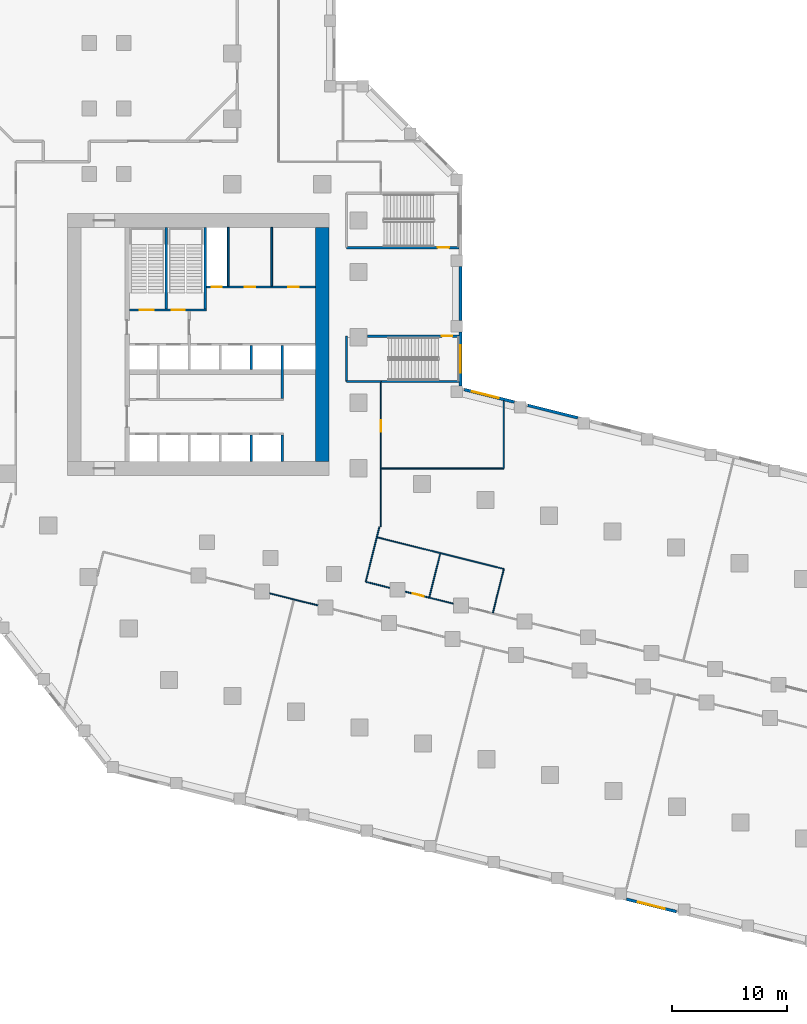
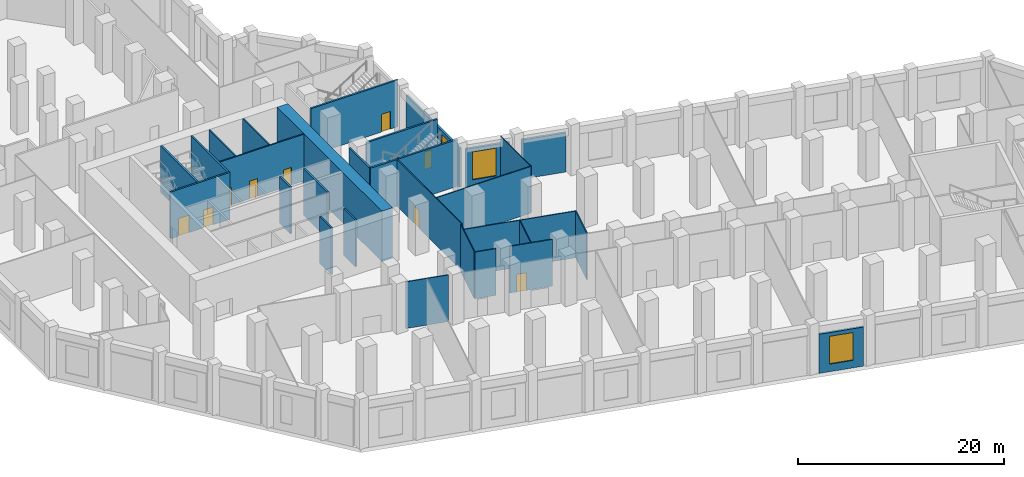
# One storey, part 5 of 15: 31 walls, 9 doors, 3 windows, 12 openings.
"""IFC4 building model written with IfcOpenShell, lengths in metres."""

import ifcopenshell
import ifcopenshell.guid

model = None  # the IFC model being written
_history = None  # IfcOwnerHistory: only IFC2X3 demands one
_inside = {}  # id of a spatial element -> (the spatial element, [elements in it])
_under = {}  # id of a project, library or spatial element -> (it, [spatial elements below it])
_declared = {}  # id of a project -> (the project, [libraries it declares])
_typed = {}  # id of a type object -> (the type object, [elements of that type])
_made_of = {}  # id of a material, layer set ... -> (it, [elements and type objects made of it])


def new_model(schema):
    """Start an empty IFC model of exactly this schema.

    Asked for "IFC4X3", IfcOpenShell would pick the latest addendum, in which some entities
    have other attributes; the version numbers below select the first issue.
    IFC2X3 requires an IfcOwnerHistory on every rooted entity: one is made here for all.
    """
    global model, _history
    if schema == "IFC4X3":
        model = ifcopenshell.file(schema_version=(4, 3, 0, 0))
    else:
        model = ifcopenshell.file(schema=schema)
    _inside.clear()
    _under.clear()
    _declared.clear()
    _typed.clear()
    _made_of.clear()
    _history = None
    if model.schema == "IFC2X3":
        org = make("IfcOrganization", Name="unknown")
        user = make(
            "IfcPersonAndOrganization",
            ThePerson=make("IfcPerson", FamilyName="unknown"),
            TheOrganization=org,
        )
        app = make(
            "IfcApplication",
            ApplicationDeveloper=org,
            Version="unknown",
            ApplicationFullName="unknown",
            ApplicationIdentifier="unknown",
        )
        _history = make(
            "IfcOwnerHistory",
            OwningUser=user,
            OwningApplication=app,
            ChangeAction="ADDED",
            CreationDate=0,
        )
    return model


def make(cls, **values):
    """One entity of the class cls with the attributes given. An attribute that is None is left unset."""
    return model.create_entity(
        cls, **{name: value for name, value in values.items() if value is not None}
    )


def rooted(cls, **values):
    """An entity with a GlobalId (a new one), such as an element, a storey or a relation."""
    return make(cls, GlobalId=ifcopenshell.guid.new(), OwnerHistory=_history, **values)


def si_unit(unit_type, name, prefix=None):
    """IfcSIUnit, for example si_unit("LENGTHUNIT", "METRE", prefix="MILLI")."""
    return make("IfcSIUnit", UnitType=unit_type, Prefix=prefix, Name=name)


def assignment(units):
    """IfcUnitAssignment: the units of a project."""
    return None if units is None else make("IfcUnitAssignment", Units=units)


def point(xyz):
    """IfcCartesianPoint."""
    return None if xyz is None else make("IfcCartesianPoint", Coordinates=xyz)


def direction(xyz):
    """IfcDirection."""
    return None if xyz is None else make("IfcDirection", DirectionRatios=xyz)


def frame(location, z_axis=None, x_axis=None):
    """IfcAxis2Placement3D, a coordinate frame: its origin and axes. An axis left out is left unset."""
    return make(
        "IfcAxis2Placement3D",
        Location=point(location),
        Axis=direction(z_axis),
        RefDirection=direction(x_axis),
    )


def frame_2d(location, x_axis=None):
    """IfcAxis2Placement2D, a coordinate frame in the plane: its origin and x axis."""
    return make(
        "IfcAxis2Placement2D", Location=point(location), RefDirection=direction(x_axis)
    )


def origin():
    """The frame at (0, 0, 0) with its axes left unset."""
    return frame((0.0, 0.0, 0.0))


def place(relative_to, where):
    """IfcLocalPlacement: puts the frame where relative to a parent placement (None: the world)."""
    return make(
        "IfcLocalPlacement", PlacementRelTo=relative_to, RelativePlacement=where
    )


def context(
    kind, dimensions, precision=None, world=None, true_north=None, identifier=None
):
    """IfcGeometricRepresentationContext, for example the 3D "Model" context."""
    return make(
        "IfcGeometricRepresentationContext",
        ContextIdentifier=identifier,
        ContextType=kind,
        CoordinateSpaceDimension=dimensions,
        Precision=precision,
        WorldCoordinateSystem=world,
        TrueNorth=true_north,
    )


def subcontext(parent, identifier, kind, view, scale=None):
    """IfcGeometricRepresentationSubContext, for example "Body" below "Model"."""
    return make(
        "IfcGeometricRepresentationSubContext",
        ContextIdentifier=identifier,
        ContextType=kind,
        ParentContext=parent,
        TargetScale=scale,
        TargetView=view,
    )


def project(units=None, contexts=None):
    """IfcProject with its units and contexts."""
    return rooted(
        "IfcProject",
        Name="project",
        RepresentationContexts=contexts,
        UnitsInContext=assignment(units),
    )


def spatial(cls, under=None, at=None, **own):
    """A site, building, storey or space (cls), placed at a placement, below another one or the project."""
    s = rooted(cls, ObjectPlacement=at, **own)
    if under is not None:
        _under.setdefault(under.id(), (under, []))[1].append(s)
    return s


def profile(cls, at=None, kind="AREA", **sizes):
    """A parametric profile (cls). Its sizes go by their IFC names, for example OverallWidth=200.0."""
    return make(cls, ProfileType=kind, Position=at, **sizes)


def rectangle(**sizes):
    """IfcRectangleProfileDef."""
    return profile("IfcRectangleProfileDef", **sizes)


def extrude(swept, where, along, depth):
    """IfcExtrudedAreaSolid: the profile swept, set in the frame where, extruded along a direction by depth."""
    return make(
        "IfcExtrudedAreaSolid",
        SweptArea=swept,
        Position=where,
        ExtrudedDirection=direction(along),
        Depth=depth,
    )


def shape(context_of_items, identifier, shape_type, items):
    """IfcShapeRepresentation: the items that make up one representation, for example the "Body"."""
    return make(
        "IfcShapeRepresentation",
        ContextOfItems=context_of_items,
        RepresentationIdentifier=identifier,
        RepresentationType=shape_type,
        Items=items,
    )


def material(Name=None, Category=None):
    """IfcMaterial."""
    return make("IfcMaterial", Name=Name, Category=Category)


def layer(
    of_material, thickness, ventilated=None, Name=None, Category=None, Priority=None
):
    """IfcMaterialLayer: one layer of a wall or slab, of a material (None: an air gap)."""
    return make(
        "IfcMaterialLayer",
        Material=of_material,
        LayerThickness=thickness,
        IsVentilated=ventilated,
        Name=Name,
        Category=Category,
        Priority=Priority,
    )


def layer_set(layers, Name=None):
    """IfcMaterialLayerSet."""
    return make("IfcMaterialLayerSet", MaterialLayers=layers, LayerSetName=Name)


def made_of(thing, what):
    """Note that an element or type object is made of a material, layer set ...; save() writes the relation."""
    if what is not None:
        _made_of.setdefault(what.id(), (what, []))[1].append(thing)
    return thing


def type_object(cls, material=None, **own):
    """A type object (cls), such as IfcWallType, which elements share."""
    return made_of(rooted(cls, **own), material)


def element(
    cls,
    number,
    at=None,
    inside=None,
    cuts=None,
    type_object=None,
    material=None,
    context=None,
    identifier="Body",
    shape_type=None,
    held_by="IfcProductDefinitionShape",
    body=None,
    shapes=None,
    **own,
):
    """One element of the class cls, such as IfcWall. Its Tag is "e" and its number.

    at: its placement. inside: the storey or other place that contains it. cuts: it is an
    opening in that element (IfcRelVoidsElement). A single representation is given by context,
    identifier, shape_type and body (its items); several are given by shapes. held_by: the class
    of the entity that holds the representations. save() writes the other relations.
    """
    e = rooted(cls, Tag="e%d" % number, ObjectPlacement=at, **own)
    if body is not None:
        shapes = [shape(context, identifier, shape_type, body)]
    if shapes is not None:
        e.Representation = make(held_by, Representations=shapes)
    if inside is not None:
        _inside.setdefault(inside.id(), (inside, []))[1].append(e)
    if cuts is not None:
        rooted(
            "IfcRelVoidsElement", RelatingBuildingElement=cuts, RelatedOpeningElement=e
        )
    if type_object is not None:
        _typed.setdefault(type_object.id(), (type_object, []))[1].append(e)
    return made_of(e, material)


def fill(opening, filler):
    """IfcRelFillsElement: the door or window that sits in an opening."""
    return rooted(
        "IfcRelFillsElement",
        RelatingOpeningElement=opening,
        RelatedBuildingElement=filler,
    )


def aggregate(whole, parts):
    """IfcRelAggregates: a whole, such as a stair, and the parts it consists of."""
    return rooted("IfcRelAggregates", RelatingObject=whole, RelatedObjects=parts)


def save(model, path):
    """Write the relations noted so far, then the file.

    IfcRelAggregates (storeys below a building ...), IfcRelContainedInSpatialStructure (elements
    in a storey), IfcRelDefinesByType, IfcRelAssociatesMaterial and IfcRelDeclares: one each for
    every whole, place, type object, material and project.
    """
    for whole, parts in _under.values():
        aggregate(whole, parts)
    for where, things in _inside.values():
        rooted(
            "IfcRelContainedInSpatialStructure",
            RelatedElements=things,
            RelatingStructure=where,
        )
    for kind, things in _typed.values():
        rooted("IfcRelDefinesByType", RelatedObjects=things, RelatingType=kind)
    for what, things in _made_of.values():
        rooted("IfcRelAssociatesMaterial", RelatedObjects=things, RelatingMaterial=what)
    for by, libraries in _declared.values():
        rooted("IfcRelDeclares", RelatingContext=by, RelatedDefinitions=libraries)
    model.write(path)


model = new_model("IFC4")

# Units and contexts
model_context = context("Model", 3, precision=1e-05, world=origin(), true_north=direction((0.0, 1.0)))
body_context = subcontext(model_context, "Body", "Model", "MODEL_VIEW")
ifc_project = project(units=[si_unit("LENGTHUNIT", "METRE"), si_unit("AREAUNIT", "SQUARE_METRE"), si_unit("VOLUMEUNIT", "CUBIC_METRE"), si_unit("PLANEANGLEUNIT", "RADIAN"), si_unit("MASSUNIT", "GRAM", prefix="KILO")], contexts=[model_context])

# Site, building, storey
site_placement = place(None, origin())
site = spatial("IfcSite", under=ifc_project, at=site_placement, CompositionType="ELEMENT")
building_placement = place(site_placement, origin())
building = spatial("IfcBuilding", under=site, at=building_placement, Name="Meshkara Civic Tower", CompositionType="ELEMENT")
storey_placement = place(building_placement, frame((0.0, 0.0, 12.60009765625)))
storey = spatial("IfcBuildingStorey", under=building, at=storey_placement, Name="L02", CompositionType="ELEMENT", Elevation=12.60009765625)

# Wall, openings, doors
ifc_material_1 = material(Name="Blockwork", Category="masonry")
ifc_layer_1 = layer(ifc_material_1, 0.14990234375)
ifc_layer_set_1 = layer_set([ifc_layer_1], Name="Core partition 150")
wall_type_1 = type_object("IfcWallType", Name="Core partition 150", PredefinedType="PARTITIONING", material=ifc_layer_set_1)
wall_1_placement = place(storey_placement, frame((20.10009765625, 30.5, 0.0), z_axis=(0.0, 0.0, 1.0), x_axis=(1.0, 0.0, 0.0)))
wall_1 = element("IfcWall", 1, at=wall_1_placement, inside=storey, type_object=wall_type_1, Name="L02-C010", PredefinedType="PARTITIONING", context=body_context, shape_type="SweptSolid", body=[
    extrude(rectangle(XDim=9.5, YDim=0.14990234375, at=frame_2d((4.75, 0.0))), origin(), (0.0, 0.0, 1.0), 5.5498046875),
])
opening_1_placement = place(wall_1_placement, frame((0.449951171875, 0.0, 0.0)))
opening_1 = element("IfcOpeningElement", 2, at=opening_1_placement, cuts=wall_1, Name="Opening L02-K012", PredefinedType="OPENING", context=body_context, shape_type="SweptSolid", body=[
    extrude(rectangle(XDim=0.89990234375, YDim=2.10009765625, at=frame_2d((0.449951171875, 1.050048828125))), frame((0.0, 0.0849609375, 0.0), z_axis=(0.0, -1.0, 0.0), x_axis=(1.0, 0.0, 0.0)), (0.0, 0.0, 1.0), 0.169921875),
])
opening_2_placement = place(wall_1_placement, frame((3.35009765625, 0.0, 0.0)))
opening_2 = element("IfcOpeningElement", 3, at=opening_2_placement, cuts=wall_1, Name="Opening L02-K013", PredefinedType="OPENING", context=body_context, shape_type="SweptSolid", body=[
    extrude(rectangle(XDim=0.89990234375, YDim=2.10009765625, at=frame_2d((0.449951171875, 1.050048828125))), frame((0.0, 0.0849609375, 0.0), z_axis=(0.0, -1.0, 0.0), x_axis=(1.0, 0.0, 0.0)), (0.0, 0.0, 1.0), 0.169921875),
])
opening_3_placement = place(wall_1_placement, frame((7.14990234375, 0.0, 0.0)))
opening_3 = element("IfcOpeningElement", 4, at=opening_3_placement, cuts=wall_1, Name="Opening L02-K014", PredefinedType="OPENING", context=body_context, shape_type="SweptSolid", body=[
    extrude(rectangle(XDim=0.89990234375, YDim=2.10009765625, at=frame_2d((0.449951171875, 1.050048828125))), frame((0.0, 0.0849609375, 0.0), z_axis=(0.0, -1.0, 0.0), x_axis=(1.0, 0.0, 0.0)), (0.0, 0.0, 1.0), 0.169921875),
])
ifc_material_2 = material(Name="Timber door leaf in steel frame", Category="steel")
door_type_1 = type_object("IfcDoorType", Name="Core room door 900", OperationType="SINGLE_SWING_LEFT", PredefinedType="DOOR", material=ifc_material_2)
door_1_placement = place(opening_2_placement, origin())
door_1 = element("IfcDoor", 5, at=door_1_placement, inside=storey, type_object=door_type_1, Name="L02-K013", OperationType="SINGLE_SWING_RIGHT", OverallHeight=2.10009765625, OverallWidth=0.89990234375, PredefinedType="DOOR", context=body_context, shape_type="SweptSolid", body=[
    extrude(rectangle(XDim=0.89990234375, YDim=2.10009765625, at=frame_2d((0.449951171875, 1.050048828125))), frame((0.0, 0.02490234375, 0.0), z_axis=(0.0, -1.0, 0.0), x_axis=(1.0, 0.0, 0.0)), (0.0, 0.0, 1.0), 0.050048828125),
])
fill(opening_2, door_1)
ifc_material_3 = material(Name="Fire-rated door leaf in steel frame", Category="steel")
door_type_2 = type_object("IfcDoorType", Name="Riser door 900", OperationType="SINGLE_SWING_LEFT", PredefinedType="DOOR", material=ifc_material_3)
door_2_placement = place(opening_1_placement, origin())
door_2 = element("IfcDoor", 6, at=door_2_placement, inside=storey, type_object=door_type_2, Name="L02-K012", OperationType="SINGLE_SWING_RIGHT", OverallHeight=2.10009765625, OverallWidth=0.89990234375, PredefinedType="DOOR", context=body_context, shape_type="SweptSolid", body=[
    extrude(rectangle(XDim=0.89990234375, YDim=2.10009765625, at=frame_2d((0.449951171875, 1.050048828125))), frame((0.0, 0.02490234375, 0.0), z_axis=(0.0, -1.0, 0.0), x_axis=(1.0, 0.0, 0.0)), (0.0, 0.0, 1.0), 0.050048828125),
])
fill(opening_1, door_2)
ifc_material_4 = material(Name="Timber door leaf in steel frame", Category="steel")
door_type_3 = type_object("IfcDoorType", Name="WC door 900", OperationType="SINGLE_SWING_LEFT", PredefinedType="DOOR", material=ifc_material_4)
door_3_placement = place(opening_3_placement, origin())
door_3 = element("IfcDoor", 7, at=door_3_placement, inside=storey, type_object=door_type_3, Name="L02-K014", OperationType="SINGLE_SWING_LEFT", OverallHeight=2.10009765625, OverallWidth=0.89990234375, PredefinedType="DOOR", context=body_context, shape_type="SweptSolid", body=[
    extrude(rectangle(XDim=0.89990234375, YDim=2.10009765625, at=frame_2d((0.449951171875, 1.050048828125))), frame((0.0, 0.02490234375, 0.0), z_axis=(0.0, -1.0, 0.0), x_axis=(1.0, 0.0, 0.0)), (0.0, 0.0, 1.0), 0.050048828125),
])
fill(opening_3, door_3)

# Walls
for number, where, z_axis, x_axis, name in (
    (8, (22.0, 30.574951171875, 0.0), (0.0, 0.0, 1.0), (0.0, 1.0, 0.0), "L02-C020"),
    (9, (25.800048828125, 30.574951171875, 0.0), (0.0, 0.0, 1.0), (0.0, 1.0, 0.0), "L02-C023"),
):
    element("IfcWall", number, at=place(storey_placement, frame(where, z_axis=z_axis, x_axis=x_axis)), inside=storey, type_object=wall_type_1, Name=name, PredefinedType="PARTITIONING", context=body_context, shape_type="SweptSolid", body=[
        extrude(rectangle(XDim=5.125, YDim=0.14990234375, at=frame_2d((2.5625, 0.0))), origin(), (0.0, 0.0, 1.0), 5.5498046875),
    ])
ifc_material_5 = material(Name="Concrete C80", Category="concrete")
ifc_layer_2 = layer(ifc_material_5, 1.199951171875)
ifc_layer_set_2 = layer_set([ifc_layer_2], Name="Core ring wall 1200 C80")
wall_type_2 = type_object("IfcWallType", Name="Core ring wall 1200 C80", PredefinedType="SHEAR", material=ifc_layer_set_2)
wall_2_placement = place(storey_placement, frame((30.199951171875, 15.300048828125, -0.4501953125), z_axis=(0.0, 0.0, 1.0), x_axis=(0.0, 1.0, 0.0)))
element("IfcWall", 10, at=wall_2_placement, inside=storey, type_object=wall_type_2, Name="L02-C004", PredefinedType="SHEAR", context=body_context, shape_type="SweptSolid", body=[
    extrude(rectangle(XDim=20.39990234375, YDim=1.199951171875, at=frame_2d((10.199951171875, 0.0))), origin(), (0.0, 0.0, 1.0), 6.0),
])
ifc_material_6 = material(Name="Corridor wall 100")
ifc_layer_3 = layer(ifc_material_6, 0.10009765625)
ifc_layer_set_3 = layer_set([ifc_layer_3], Name="Corridor wall 100")
wall_type_3 = type_object("IfcWallType", Name="Corridor wall 100", PredefinedType="PARTITIONING", material=ifc_layer_set_3)
wall_3_placement = place(storey_placement, frame((25.6240234375, 3.81494140625, 0.0), z_axis=(0.0, 0.0, 1.0), x_axis=(0.970295255208, -0.241923784941, 0.0)))
element("IfcWall", 11, at=wall_3_placement, inside=storey, type_object=wall_type_3, Name="L02-R035", PredefinedType="PARTITIONING", context=body_context, shape_type="SweptSolid", body=[
    extrude(rectangle(XDim=4.3193359375, YDim=0.10009765625, at=frame_2d((2.15966796875, 0.0))), origin(), (0.0, 0.0, 1.0), 5.5498046875),
])
wall_4_placement = place(storey_placement, frame((33.97607421875, 4.823974609375, 0.0), z_axis=(0.0, 0.0, 1.0), x_axis=(0.241940400058, 0.970291112409, 0.0)))
element("IfcWall", 12, at=wall_4_placement, inside=storey, type_object=wall_type_3, Name="L02-R043", PredefinedType="PARTITIONING", context=body_context, shape_type="SweptSolid", body=[
    extrude(rectangle(XDim=4.92236328125, YDim=0.10009765625, at=frame_2d((2.461181640625, 0.0))), origin(), (0.0, 0.0, 1.0), 5.5498046875),
])

# Wall, opening, door
wall_5_placement = place(storey_placement, frame((35.300048828125, 9.60009765625, 0.0), z_axis=(0.0, 0.0, 1.0), x_axis=(0.0, 1.0, 0.0)))
wall_5 = element("IfcWall", 13, at=wall_5_placement, inside=storey, type_object=wall_type_3, Name="L02-R045", PredefinedType="PARTITIONING", context=body_context, shape_type="SweptSolid", body=[
    extrude(rectangle(XDim=12.6748046875, YDim=0.10009765625, at=frame_2d((6.33740234375, 0.0))), origin(), (0.0, 0.0, 1.0), 5.5498046875),
])
opening_4_placement = place(wall_5_placement, frame((8.280029296875, 0.0, 0.0)))
opening_4 = element("IfcOpeningElement", 14, at=opening_4_placement, cuts=wall_5, Name="Opening L02-P022", PredefinedType="OPENING", context=body_context, shape_type="SweptSolid", body=[
    extrude(rectangle(XDim=1.0, YDim=2.10009765625, at=frame_2d((0.5, 1.050048828125))), frame((0.0, 0.06005859375, 0.0), z_axis=(0.0, -1.0, 0.0), x_axis=(1.0, 0.0, 0.0)), (0.0, 0.0, 1.0), 0.1201171875),
])
ifc_material_7 = material(Name="Door 1000 x 2100")
door_type_4 = type_object("IfcDoorType", Name="Door 1000 x 2100", OperationType="SINGLE_SWING_LEFT", PredefinedType="DOOR", material=ifc_material_7)
door_4_placement = place(opening_4_placement, origin())
door_4 = element("IfcDoor", 15, at=door_4_placement, inside=storey, type_object=door_type_4, Name="L02-P022", OperationType="SINGLE_SWING_RIGHT", OverallHeight=2.10009765625, OverallWidth=1.0, PredefinedType="DOOR", context=body_context, shape_type="SweptSolid", body=[
    extrude(rectangle(XDim=1.0, YDim=2.10009765625, at=frame_2d((0.5, 1.050048828125))), frame((0.0, 0.02490234375, 0.0), z_axis=(0.0, -1.0, 0.0), x_axis=(1.0, 0.0, 0.0)), (0.0, 0.0, 1.0), 0.050048828125),
])
fill(opening_4, door_4)

# Wall
wall_6_placement = place(storey_placement, frame((36.072021484375, 4.301025390625, 0.0), z_axis=(0.0, 0.0, 1.0), x_axis=(-0.970255412337, 0.242083528623, 0.0)))
element("IfcWall", 16, at=wall_6_placement, inside=storey, type_object=wall_type_3, Name="L02-R048", PredefinedType="PARTITIONING", context=body_context, shape_type="SweptSolid", body=[
    extrude(rectangle(XDim=2.16015625, YDim=0.10009765625, at=frame_2d((1.080078125, 0.0))), origin(), (0.0, 0.0, 1.0), 5.5498046875),
])

# Wall, opening, door
wall_7_placement = place(storey_placement, frame((37.412109375, 3.967041015625, 0.0), z_axis=(0.0, 0.0, 1.0), x_axis=(0.970335093604, -0.241763947107, 0.0)))
wall_7 = element("IfcWall", 17, at=wall_7_placement, inside=storey, type_object=wall_type_3, Name="L02-R050", PredefinedType="PARTITIONING", context=body_context, shape_type="SweptSolid", body=[
    extrude(rectangle(XDim=4.318115234375, YDim=0.10009765625, at=frame_2d((2.1591796875, 0.0))), origin(), (0.0, 0.0, 1.0), 5.5498046875),
])
opening_5_placement = place(wall_7_placement, frame((0.679931640625, 0.0, 0.0)))
opening_5 = element("IfcOpeningElement", 18, at=opening_5_placement, cuts=wall_7, Name="Opening L02-P016", PredefinedType="OPENING", context=body_context, shape_type="SweptSolid", body=[
    extrude(rectangle(XDim=1.0, YDim=2.10009765625, at=frame_2d((0.5, 1.050048828125))), frame((0.0, 0.06005859375, 0.0), z_axis=(0.0, -1.0, 0.0), x_axis=(1.0, 0.0, 0.0)), (0.0, 0.0, 1.0), 0.1201171875),
])
door_5_placement = place(opening_5_placement, origin())
door_5 = element("IfcDoor", 19, at=door_5_placement, inside=storey, type_object=door_type_4, Name="L02-P016", OperationType="SINGLE_SWING_RIGHT", OverallHeight=2.10009765625, OverallWidth=1.0, PredefinedType="DOOR", context=body_context, shape_type="SweptSolid", body=[
    extrude(rectangle(XDim=1.0, YDim=2.10009765625, at=frame_2d((0.5, 1.050048828125))), frame((0.0, 0.02490234375, 0.0), z_axis=(0.0, -1.0, 0.0), x_axis=(1.0, 0.0, 0.0)), (0.0, 0.0, 1.0), 0.050048828125),
])
fill(opening_5, door_5)

# Wall, opening, window
ifc_material_8 = material(Name="Stone cladding on insulated backing wall", Category="masonry")
ifc_layer_4 = layer(ifc_material_8, 0.25)
ifc_layer_set_4 = layer_set([ifc_layer_4], Name="PODIUM STONE WALL 250")
wall_type_4 = type_object("IfcWallType", Name="PODIUM STONE WALL 250", PredefinedType="SOLIDWALL", material=ifc_layer_set_4)
wall_8_placement = place(storey_placement, frame((56.680908203125, -22.81494140625, 0.0), z_axis=(0.0, 0.0, 1.0), x_axis=(0.970276766004, -0.241997928406, 0.0)))
wall_8 = element("IfcWall", 20, at=wall_8_placement, inside=storey, type_object=wall_type_4, Name="Podium external wall", PredefinedType="SOLIDWALL", context=body_context, shape_type="SweptSolid", body=[
    extrude(rectangle(XDim=4.4873046875, YDim=0.25, at=frame_2d((2.24365234375, 0.0))), origin(), (0.0, 0.0, 1.0), 4.64990234375),
])
opening_6_placement = place(wall_8_placement, frame((1.0439453125, 0.0, 0.89990234375)))
opening_6 = element("IfcOpeningElement", 21, at=opening_6_placement, cuts=wall_8, Name="Opening PW7", PredefinedType="OPENING", context=body_context, shape_type="SweptSolid", body=[
    extrude(rectangle(XDim=2.39990234375, YDim=3.300048828125, at=frame_2d((1.199951171875, 1.64990234375))), frame((0.0, 0.135009765625, 0.0), z_axis=(0.0, -1.0, 0.0), x_axis=(1.0, 0.0, 0.0)), (0.0, 0.0, 1.0), 0.27001953125),
])
ifc_material_9 = material(Name="Tinted double glazing", Category="glass")
window_type = type_object("IfcWindowType", Name="PODIUM WINDOW 2400x3300", PartitioningType="DOUBLE_PANEL_VERTICAL", PredefinedType="WINDOW", material=ifc_material_9)
window_1_placement = place(opening_6_placement, origin())
window_1 = element("IfcWindow", 22, at=window_1_placement, inside=storey, type_object=window_type, Name="Podium window", OverallHeight=3.300048828125, OverallWidth=2.39990234375, PartitioningType="DOUBLE_PANEL_VERTICAL", PredefinedType="WINDOW", context=body_context, shape_type="SweptSolid", body=[
    extrude(rectangle(XDim=2.39990234375, YDim=3.300048828125, at=frame_2d((1.199951171875, 1.64990234375))), frame((0.0, 0.030029296875, 0.0), z_axis=(0.0, -1.0, 0.0), x_axis=(1.0, 0.0, 0.0)), (0.0, 0.0, 1.0), 0.06005859375),
])
fill(opening_6, window_1)

# Wall
wall_9_placement = place(storey_placement, frame((52.451904296875, 19.10302734375, 0.0), z_axis=(0.0, 0.0, 1.0), x_axis=(-0.970276766004, 0.241997928406, 0.0)))
element("IfcWall", 23, at=wall_9_placement, inside=storey, type_object=wall_type_4, Name="Podium external wall", PredefinedType="SOLIDWALL", context=body_context, shape_type="SweptSolid", body=[
    extrude(rectangle(XDim=4.4873046875, YDim=0.25, at=frame_2d((2.24365234375, 0.0))), origin(), (0.0, 0.0, 1.0), 4.64990234375),
])

# Wall, opening, window
wall_10_placement = place(storey_placement, frame((46.922119140625, 20.48193359375, 0.0), z_axis=(0.0, 0.0, 1.0), x_axis=(-0.970279921141, 0.241985277715, 0.0)))
wall_10 = element("IfcWall", 24, at=wall_10_placement, inside=storey, type_object=wall_type_4, Name="Podium external wall", PredefinedType="SOLIDWALL", context=body_context, shape_type="SweptSolid", body=[
    extrude(rectangle(XDim=4.488525390625, YDim=0.25, at=frame_2d((2.244140625, 0.0))), origin(), (0.0, 0.0, 1.0), 4.64990234375),
])
opening_7_placement = place(wall_10_placement, frame((1.39697265625, 0.0, 0.89990234375)))
opening_7 = element("IfcOpeningElement", 25, at=opening_7_placement, cuts=wall_10, Name="Opening PW7", PredefinedType="OPENING", context=body_context, shape_type="SweptSolid", body=[
    extrude(rectangle(XDim=2.39990234375, YDim=3.300048828125, at=frame_2d((1.199951171875, 1.64990234375))), frame((0.0, 0.135009765625, 0.0), z_axis=(0.0, -1.0, 0.0), x_axis=(1.0, 0.0, 0.0)), (0.0, 0.0, 1.0), 0.27001953125),
])
window_2_placement = place(opening_7_placement, origin())
window_2 = element("IfcWindow", 26, at=window_2_placement, inside=storey, type_object=window_type, Name="Podium window", OverallHeight=3.300048828125, OverallWidth=2.39990234375, PartitioningType="DOUBLE_PANEL_VERTICAL", PredefinedType="WINDOW", context=body_context, shape_type="SweptSolid", body=[
    extrude(rectangle(XDim=2.39990234375, YDim=3.300048828125, at=frame_2d((1.199951171875, 1.64990234375))), frame((0.0, 0.030029296875, 0.0), z_axis=(0.0, -1.0, 0.0), x_axis=(1.0, 0.0, 0.0)), (0.0, 0.0, 1.0), 0.06005859375),
])
fill(opening_7, window_2)

wall_11_placement = place(storey_placement, frame((42.22509765625, 21.89892578125, 0.0), z_axis=(0.0, 0.0, 1.0), x_axis=(0.0, 1.0, 0.0)))
wall_11 = element("IfcWall", 27, at=wall_11_placement, inside=storey, type_object=wall_type_4, Name="Podium external wall", PredefinedType="SOLIDWALL", context=body_context, shape_type="SweptSolid", body=[
    extrude(rectangle(XDim=4.7001953125, YDim=0.25, at=frame_2d((2.35009765625, 0.0))), origin(), (0.0, 0.0, 1.0), 4.64990234375),
])
opening_8_placement = place(wall_11_placement, frame((1.14990234375, 0.0, 0.89990234375)))
opening_8 = element("IfcOpeningElement", 28, at=opening_8_placement, cuts=wall_11, Name="Opening PW7", PredefinedType="OPENING", context=body_context, shape_type="SweptSolid", body=[
    extrude(rectangle(XDim=2.39990234375, YDim=3.300048828125, at=frame_2d((1.199951171875, 1.64990234375))), frame((0.0, 0.135009765625, 0.0), z_axis=(0.0, -1.0, 0.0), x_axis=(1.0, 0.0, 0.0)), (0.0, 0.0, 1.0), 0.27001953125),
])
window_3_placement = place(opening_8_placement, origin())
window_3 = element("IfcWindow", 29, at=window_3_placement, inside=storey, type_object=window_type, Name="Podium window", OverallHeight=3.300048828125, OverallWidth=2.39990234375, PartitioningType="DOUBLE_PANEL_VERTICAL", PredefinedType="WINDOW", context=body_context, shape_type="SweptSolid", body=[
    extrude(rectangle(XDim=2.39990234375, YDim=3.300048828125, at=frame_2d((1.199951171875, 1.64990234375))), frame((0.0, 0.030029296875, 0.0), z_axis=(0.0, -1.0, 0.0), x_axis=(1.0, 0.0, 0.0)), (0.0, 0.0, 1.0), 0.06005859375),
])
fill(opening_8, window_3)

# Walls
wall_12_placement = place(storey_placement, frame((42.22509765625, 27.59912109375, 0.0), z_axis=(0.0, 0.0, 1.0), x_axis=(0.0, 1.0, 0.0)))
element("IfcWall", 30, at=wall_12_placement, inside=storey, type_object=wall_type_4, Name="Podium external wall", PredefinedType="SOLIDWALL", context=body_context, shape_type="SweptSolid", body=[
    extrude(rectangle(XDim=4.699951171875, YDim=0.25, at=frame_2d((2.35009765625, 0.0))), origin(), (0.0, 0.0, 1.0), 4.64990234375),
])
ifc_material_10 = material(Name="Partition 100")
ifc_layer_5 = layer(ifc_material_10, 0.10009765625)
ifc_layer_set_5 = layer_set([ifc_layer_5], Name="Partition 100")
wall_type_5 = type_object("IfcWallType", Name="Partition 100", PredefinedType="PARTITIONING", material=ifc_layer_set_5)
wall_13_placement = place(storey_placement, frame((34.992919921875, 8.693115234375, 0.0), z_axis=(0.0, 0.0, 1.0), x_axis=(0.97029161727, -0.241938375328, 0.0)))
element("IfcWall", 31, at=wall_13_placement, inside=storey, type_object=wall_type_5, Name="L02-R103", PredefinedType="PARTITIONING", context=body_context, shape_type="SweptSolid", body=[
    extrude(rectangle(XDim=11.350341796875, YDim=0.10009765625, at=frame_2d((5.67529296875, 0.0))), origin(), (0.0, 0.0, 1.0), 5.5498046875),
])
wall_14_placement = place(storey_placement, frame((35.35009765625, 14.699951171875, 0.0), z_axis=(0.0, 0.0, 1.0), x_axis=(1.0, 0.0, 0.0)))
element("IfcWall", 32, at=wall_14_placement, inside=storey, type_object=wall_type_5, Name="L02-R105", PredefinedType="PARTITIONING", context=body_context, shape_type="SweptSolid", body=[
    extrude(rectangle(XDim=10.64990234375, YDim=0.10009765625, at=frame_2d((5.324951171875, 0.0))), origin(), (0.0, 0.0, 1.0), 5.5498046875),
])
wall_15_placement = place(storey_placement, frame((39.51904296875, 3.493896484375, 0.0), z_axis=(0.0, 0.0, 1.0), x_axis=(0.242064152871, 0.970260246478, 0.0)))
element("IfcWall", 33, at=wall_15_placement, inside=storey, type_object=wall_type_5, Name="L02-R106", PredefinedType="PARTITIONING", context=body_context, shape_type="SweptSolid", body=[
    extrude(rectangle(XDim=3.899169921875, YDim=0.10009765625, at=frame_2d((1.94970703125, 0.0))), origin(), (0.0, 0.0, 1.0), 5.5498046875),
])
wall_16_placement = place(storey_placement, frame((45.050048828125, 2.114990234375, 0.0), z_axis=(0.0, 0.0, 1.0), x_axis=(0.242070161495, 0.970258747404, 0.0)))
element("IfcWall", 34, at=wall_16_placement, inside=storey, type_object=wall_type_5, Name="L02-R109", PredefinedType="PARTITIONING", context=body_context, shape_type="SweptSolid", body=[
    extrude(rectangle(XDim=3.949462890625, YDim=0.10009765625, at=frame_2d((1.974609375, 0.0))), origin(), (0.0, 0.0, 1.0), 5.5498046875),
])
wall_17_placement = place(storey_placement, frame((46.0, 14.699951171875, 0.0), z_axis=(0.0, 0.0, 1.0), x_axis=(0.0, 1.0, 0.0)))
element("IfcWall", 35, at=wall_17_placement, inside=storey, type_object=wall_type_5, Name="L02-R110", PredefinedType="PARTITIONING", context=body_context, shape_type="SweptSolid", body=[
    extrude(rectangle(XDim=5.883056640625, YDim=0.10009765625, at=frame_2d((2.94140625, 0.0))), origin(), (0.0, 0.0, 1.0), 5.5498046875),
])
ifc_material_11 = material(Name="Concrete C40/50", Category="concrete")
ifc_layer_6 = layer(ifc_material_11, 0.199951171875)
ifc_layer_set_6 = layer_set([ifc_layer_6], Name="Shaft wall 200 C40/50")
wall_type_6 = type_object("IfcWallType", Name="Shaft wall 200 C40/50", PredefinedType="SOLIDWALL", material=ifc_layer_set_6)
wall_18_placement = place(storey_placement, frame((24.0, 15.300048828125, 0.0), z_axis=(0.0, 0.0, 1.0), x_axis=(0.0, 1.0, 0.0)))
element("IfcWall", 36, at=wall_18_placement, inside=storey, type_object=wall_type_6, Name="L02-C021", PredefinedType="SOLIDWALL", context=body_context, shape_type="SweptSolid", body=[
    extrude(rectangle(XDim=2.300048828125, YDim=0.199951171875, at=frame_2d((1.14990234375, 0.0))), origin(), (0.0, 0.0, 1.0), 5.5498046875),
])
wall_19_placement = place(storey_placement, frame((24.0, 23.300048828125, 0.0), z_axis=(0.0, 0.0, 1.0), x_axis=(0.0, 1.0, 0.0)))
element("IfcWall", 37, at=wall_19_placement, inside=storey, type_object=wall_type_6, Name="L02-C022", PredefinedType="SOLIDWALL", context=body_context, shape_type="SweptSolid", body=[
    extrude(rectangle(XDim=2.099853515625, YDim=0.199951171875, at=frame_2d((1.0498046875, 0.0))), origin(), (0.0, 0.0, 1.0), 5.5498046875),
])
wall_20_placement = place(storey_placement, frame((26.699951171875, 15.300048828125, 0.0), z_axis=(0.0, 0.0, 1.0), x_axis=(0.0, 1.0, 0.0)))
element("IfcWall", 38, at=wall_20_placement, inside=storey, type_object=wall_type_6, Name="L02-C024", PredefinedType="SOLIDWALL", context=body_context, shape_type="SweptSolid", body=[
    extrude(rectangle(XDim=2.300048828125, YDim=0.199951171875, at=frame_2d((1.14990234375, 0.0))), origin(), (0.0, 0.0, 1.0), 5.5498046875),
])
wall_21_placement = place(storey_placement, frame((26.699951171875, 20.77490234375, 0.0), z_axis=(0.0, 0.0, 1.0), x_axis=(0.0, 1.0, 0.0)))
element("IfcWall", 39, at=wall_21_placement, inside=storey, type_object=wall_type_6, Name="L02-C025", PredefinedType="SOLIDWALL", context=body_context, shape_type="SweptSolid", body=[
    extrude(rectangle(XDim=4.625, YDim=0.199951171875, at=frame_2d((2.3125, 0.0))), origin(), (0.0, 0.0, 1.0), 5.5498046875),
])

# Wall, openings, doors
ifc_material_12 = material(Name="Concrete C40/50", Category="concrete")
ifc_layer_7 = layer(ifc_material_12, 0.199951171875)
ifc_layer_set_7 = layer_set([ifc_layer_7], Name="Stair enclosure wall 200 C40/50")
wall_type_7 = type_object("IfcWallType", Name="Stair enclosure wall 200 C40/50", PredefinedType="SOLIDWALL", material=ifc_layer_set_7)
wall_22_placement = place(storey_placement, frame((13.39990234375, 28.5, 0.0), z_axis=(0.0, 0.0, 1.0), x_axis=(1.0, 0.0, 0.0)))
wall_22 = element("IfcWall", 40, at=wall_22_placement, inside=storey, type_object=wall_type_7, Name="L02-C009", PredefinedType="SOLIDWALL", context=body_context, shape_type="SweptSolid", body=[
    extrude(rectangle(XDim=6.7001953125, YDim=0.199951171875, at=frame_2d((3.35009765625, 0.0))), origin(), (0.0, 0.0, 1.0), 5.5498046875),
])
opening_9_placement = place(wall_22_placement, frame((0.89990234375, 0.0, 0.0)))
opening_9 = element("IfcOpeningElement", 41, at=opening_9_placement, cuts=wall_22, Name="Opening L02-K015", PredefinedType="OPENING", context=body_context, shape_type="SweptSolid", body=[
    extrude(rectangle(XDim=1.199951171875, YDim=2.10009765625, at=frame_2d((0.60009765625, 1.050048828125))), frame((0.0, 0.10986328125, 0.0), z_axis=(0.0, -1.0, 0.0), x_axis=(1.0, 0.0, 0.0)), (0.0, 0.0, 1.0), 0.219970703125),
])
opening_10_placement = place(wall_22_placement, frame((3.699951171875, 0.0, 0.0)))
opening_10 = element("IfcOpeningElement", 42, at=opening_10_placement, cuts=wall_22, Name="Opening L02-K016", PredefinedType="OPENING", context=body_context, shape_type="SweptSolid", body=[
    extrude(rectangle(XDim=1.10009765625, YDim=2.10009765625, at=frame_2d((0.550048828125, 1.050048828125))), frame((0.0, 0.10986328125, 0.0), z_axis=(0.0, -1.0, 0.0), x_axis=(1.0, 0.0, 0.0)), (0.0, 0.0, 1.0), 0.219970703125),
])
ifc_material_13 = material(Name="Fire-rated door leaf in steel frame", Category="steel")
door_type_5 = type_object("IfcDoorType", Name="Stair door 1100 EI 120", OperationType="SINGLE_SWING_LEFT", PredefinedType="DOOR", material=ifc_material_13)
door_6_placement = place(opening_10_placement, origin())
door_6 = element("IfcDoor", 43, at=door_6_placement, inside=storey, type_object=door_type_5, Name="L02-K016", OperationType="SINGLE_SWING_LEFT", OverallHeight=2.10009765625, OverallWidth=1.10009765625, PredefinedType="DOOR", context=body_context, shape_type="SweptSolid", body=[
    extrude(rectangle(XDim=1.10009765625, YDim=2.10009765625, at=frame_2d((0.550048828125, 1.050048828125))), frame((0.0, 0.02490234375, 0.0), z_axis=(0.0, -1.0, 0.0), x_axis=(1.0, 0.0, 0.0)), (0.0, 0.0, 1.0), 0.050048828125),
])
fill(opening_10, door_6)
ifc_material_14 = material(Name="Fire-rated door leaf in steel frame", Category="steel")
door_type_6 = type_object("IfcDoorType", Name="Stair door 1200 EI 120", OperationType="SINGLE_SWING_LEFT", PredefinedType="DOOR", material=ifc_material_14)
door_7_placement = place(opening_9_placement, origin())
door_7 = element("IfcDoor", 44, at=door_7_placement, inside=storey, type_object=door_type_6, Name="L02-K015", OperationType="SINGLE_SWING_RIGHT", OverallHeight=2.10009765625, OverallWidth=1.199951171875, PredefinedType="DOOR", context=body_context, shape_type="SweptSolid", body=[
    extrude(rectangle(XDim=1.199951171875, YDim=2.10009765625, at=frame_2d((0.60009765625, 1.050048828125))), frame((0.0, 0.02490234375, 0.0), z_axis=(0.0, -1.0, 0.0), x_axis=(1.0, 0.0, 0.0)), (0.0, 0.0, 1.0), 0.050048828125),
])
fill(opening_9, door_7)

# Walls
for number, where, z_axis, x_axis, name in (
    (45, (16.60009765625, 28.60009765625, 0.0), (0.0, 0.0, 1.0), (0.0, 1.0, 0.0), "L02-C014"),
    (46, (20.0, 28.60009765625, 0.0), (0.0, 0.0, 1.0), (0.0, 1.0, 0.0), "L02-C017"),
):
    element("IfcWall", number, at=place(storey_placement, frame(where, z_axis=z_axis, x_axis=x_axis)), inside=storey, type_object=wall_type_7, Name=name, PredefinedType="SOLIDWALL", context=body_context, shape_type="SweptSolid", body=[
        extrude(rectangle(XDim=7.099853515625, YDim=0.199951171875, at=frame_2d((3.5498046875, 0.0))), origin(), (0.0, 0.0, 1.0), 5.5498046875),
    ])
wall_23_placement = place(storey_placement, frame((32.300048828125, 22.27490234375, 0.0), z_axis=(0.0, 0.0, 1.0), x_axis=(0.0, 1.0, 0.0)))
element("IfcWall", 47, at=wall_23_placement, inside=storey, type_object=wall_type_7, Name="L02-R040", PredefinedType="SOLIDWALL", context=body_context, shape_type="SweptSolid", body=[
    extrude(rectangle(XDim=3.9501953125, YDim=0.199951171875, at=frame_2d((1.97509765625, 0.0))), origin(), (0.0, 0.0, 1.0), 5.5498046875),
])

# Wall, opening, door
wall_24_placement = place(storey_placement, frame((34.1201171875, 26.22509765625, 0.0), z_axis=(0.0, 0.0, 1.0), x_axis=(1.0, 0.0, 0.0)))
wall_24 = element("IfcWall", 48, at=wall_24_placement, inside=storey, type_object=wall_type_7, Name="L02-R044", PredefinedType="SOLIDWALL", context=body_context, shape_type="SweptSolid", body=[
    extrude(rectangle(XDim=7.97998046875, YDim=0.199951171875, at=frame_2d((3.989990234375, 0.0))), origin(), (0.0, 0.0, 1.0), 5.5498046875),
])
opening_11_placement = place(wall_24_placement, frame((6.5, 0.0, 0.0)))
opening_11 = element("IfcOpeningElement", 49, at=opening_11_placement, cuts=wall_24, Name="Opening L02-P023", PredefinedType="OPENING", context=body_context, shape_type="SweptSolid", body=[
    extrude(rectangle(XDim=0.89990234375, YDim=2.10009765625, at=frame_2d((0.449951171875, 1.050048828125))), frame((0.0, 0.10986328125, 0.0), z_axis=(0.0, -1.0, 0.0), x_axis=(1.0, 0.0, 0.0)), (0.0, 0.0, 1.0), 0.219970703125),
])
door_8_placement = place(opening_11_placement, origin())
door_8 = element("IfcDoor", 50, at=door_8_placement, inside=storey, type_object=door_type_4, Name="L02-P023", OperationType="SINGLE_SWING_LEFT", OverallHeight=2.10009765625, OverallWidth=0.89990234375, PredefinedType="DOOR", context=body_context, shape_type="SweptSolid", body=[
    extrude(rectangle(XDim=0.89990234375, YDim=2.10009765625, at=frame_2d((0.449951171875, 1.050048828125))), frame((0.0, 0.02490234375, 0.0), z_axis=(0.0, -1.0, 0.0), x_axis=(1.0, 0.0, 0.0)), (0.0, 0.0, 1.0), 0.050048828125),
])
fill(opening_11, door_8)

# Wall
wall_25_placement = place(storey_placement, frame((35.300048828125, 22.27490234375, 0.0), z_axis=(0.0, 0.0, 1.0), x_axis=(-1.0, 0.0, 0.0)))
element("IfcWall", 51, at=wall_25_placement, inside=storey, type_object=wall_type_7, Name="L02-R046", PredefinedType="SOLIDWALL", context=body_context, shape_type="SweptSolid", body=[
    extrude(rectangle(XDim=3.0, YDim=0.199951171875, at=frame_2d((1.5, 0.0))), origin(), (0.0, 0.0, 1.0), 5.5498046875),
])

# Wall, opening, door
wall_26_placement = place(storey_placement, frame((42.10009765625, 33.925048828125, 0.0), z_axis=(0.0, 0.0, 1.0), x_axis=(-1.0, 0.0, 0.0)))
wall_26 = element("IfcWall", 52, at=wall_26_placement, inside=storey, type_object=wall_type_7, Name="L02-R051", PredefinedType="SOLIDWALL", context=body_context, shape_type="SweptSolid", body=[
    extrude(rectangle(XDim=9.800048828125, YDim=0.199951171875, at=frame_2d((4.89990234375, 0.0))), origin(), (0.0, 0.0, 1.0), 5.5498046875),
])
opening_12_placement = place(wall_26_placement, frame((0.85009765625, 0.0, 0.0)))
opening_12 = element("IfcOpeningElement", 53, at=opening_12_placement, cuts=wall_26, Name="Opening L02-P025", PredefinedType="OPENING", context=body_context, shape_type="SweptSolid", body=[
    extrude(rectangle(XDim=1.0, YDim=2.10009765625, at=frame_2d((0.5, 1.050048828125))), frame((0.0, 0.10986328125, 0.0), z_axis=(0.0, -1.0, 0.0), x_axis=(1.0, 0.0, 0.0)), (0.0, 0.0, 1.0), 0.219970703125),
])
door_9_placement = place(opening_12_placement, origin())
door_9 = element("IfcDoor", 54, at=door_9_placement, inside=storey, type_object=door_type_4, Name="L02-P025", OperationType="SINGLE_SWING_LEFT", OverallHeight=2.10009765625, OverallWidth=1.0, PredefinedType="DOOR", context=body_context, shape_type="SweptSolid", body=[
    extrude(rectangle(XDim=1.0, YDim=2.10009765625, at=frame_2d((0.5, 1.050048828125))), frame((0.0, 0.02490234375, 0.0), z_axis=(0.0, -1.0, 0.0), x_axis=(1.0, 0.0, 0.0)), (0.0, 0.0, 1.0), 0.050048828125),
])
fill(opening_12, door_9)

# Wall
wall_27_placement = place(storey_placement, frame((35.300048828125, 22.27490234375, 0.0), z_axis=(0.0, 0.0, 1.0), x_axis=(1.0, 0.0, 0.0)))
element("IfcWall", 55, at=wall_27_placement, inside=storey, type_object=wall_type_7, Name="L02-R104", PredefinedType="SOLIDWALL", context=body_context, shape_type="SweptSolid", body=[
    extrude(rectangle(XDim=6.800048828125, YDim=0.199951171875, at=frame_2d((3.39990234375, 0.0))), origin(), (0.0, 0.0, 1.0), 5.5498046875),
])

save(model, "model.ifc")
